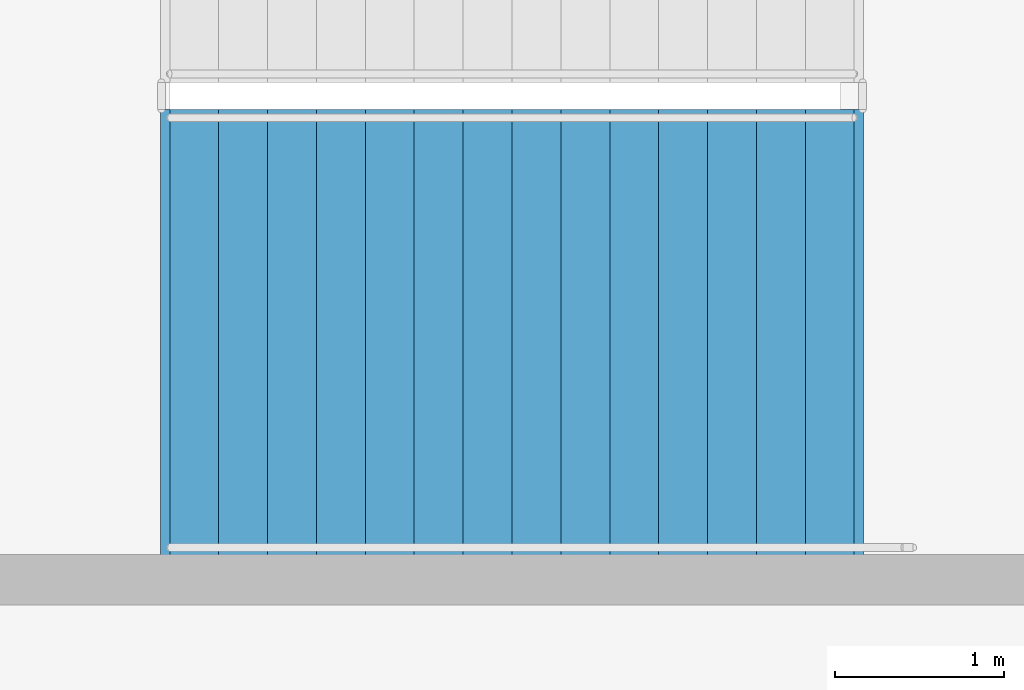
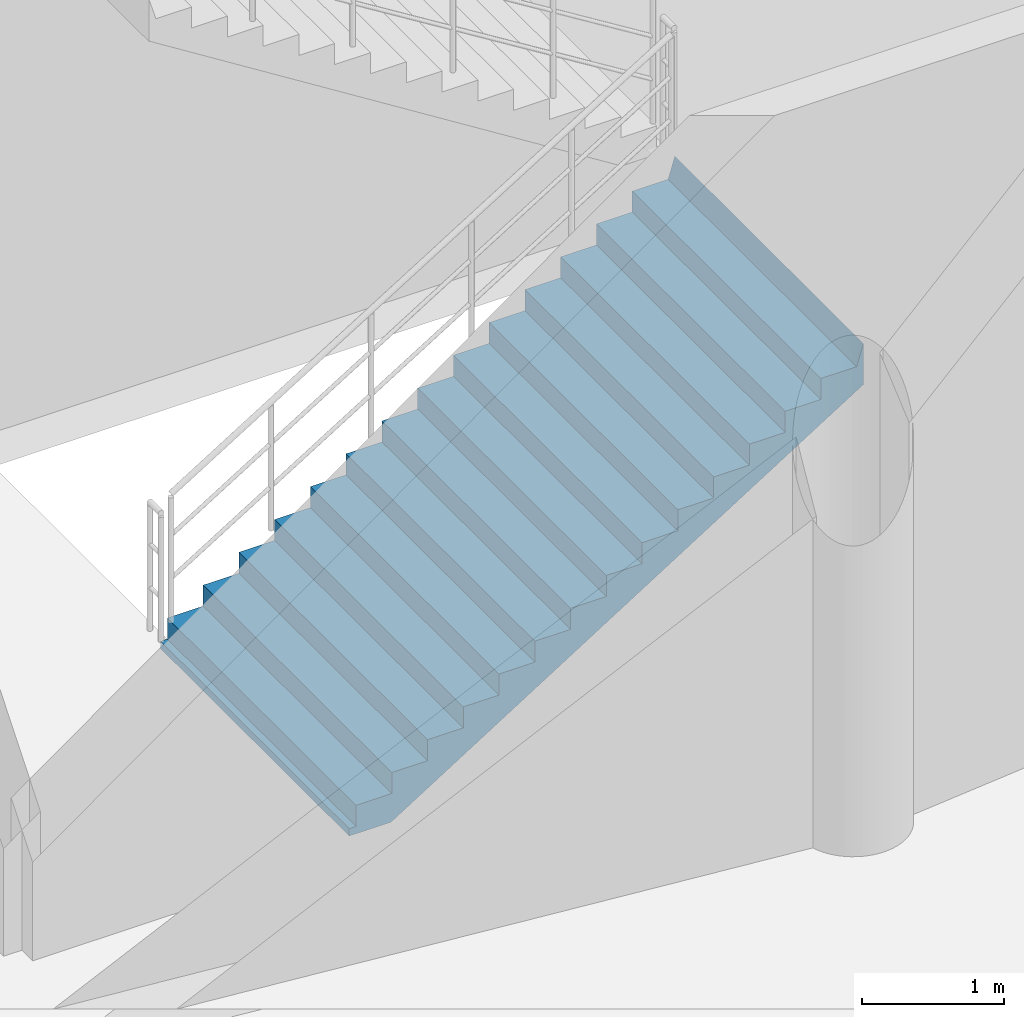
# One storey, part 66 of 93: 1 stair flight, 1 element without a shape of its own.
"""IFC4 building model written with IfcOpenShell, lengths in metres."""

from ifc_helpers import new_model, si_unit, direction, frame, origin, place, context, subcontext, project, spatial, polyline, outline, extrude, material, type_object, element, aggregate, save


model = new_model("IFC4")

# Units and contexts
model_context = context("Model", 3, precision=1e-05, world=origin(), true_north=direction((0.0, 1.0)))
body_context = subcontext(model_context, "Body", "Model", "MODEL_VIEW")
ifc_project = project(units=[si_unit("LENGTHUNIT", "METRE"), si_unit("AREAUNIT", "SQUARE_METRE"), si_unit("VOLUMEUNIT", "CUBIC_METRE"), si_unit("PLANEANGLEUNIT", "RADIAN"), si_unit("MASSUNIT", "GRAM", prefix="KILO")], contexts=[model_context])

# Site, building, storey
site_placement = place(None, origin())
site = spatial("IfcSite", under=ifc_project, at=site_placement, CompositionType="ELEMENT")
building_placement = place(site_placement, origin())
building = spatial("IfcBuilding", under=site, at=building_placement, Name="Cinderbank Siding Concert Hall", CompositionType="ELEMENT")
storey_placement = place(building_placement, origin())
storey = spatial("IfcBuildingStorey", under=building, at=storey_placement, Name="L01", CompositionType="ELEMENT", Elevation=0.0)

# Stair, stair flight
ifc_material = material(Name="Reinforced concrete AS 3600 N50 (50 MPa)", Category="concrete")
stair_type = type_object("IfcStairType", Name="STR-A Dogleg Exit Stair 2650mm", PredefinedType="HALF_TURN_STAIR", material=ifc_material)
stair_placement = place(storey_placement, origin())
stair = element("IfcStair", 1, at=stair_placement, inside=storey, type_object=stair_type, Name="L01 Fire-isolated Exit Stair ST-02", PredefinedType="HALF_TURN_STAIR")
stair_flight_type = type_object("IfcStairFlightType", Name="SFL-A Concrete Stair Flight 2650mm", PredefinedType="STRAIGHT", material=ifc_material)
stair_flight_placement = place(storey_placement, frame((118.949951171875, 25.02490234375, 0.0), z_axis=(0.0, 0.0, 1.0), x_axis=(1.0, 0.0, 0.0)))
stair_flight = element("IfcStairFlight", 2, at=stair_flight_placement, type_object=stair_flight_type, Name="ST-02 flight 1", NumberOfRisers=15, NumberOfTreads=14, PredefinedType="STRAIGHT", RiserHeight=0.18, TreadLength=0.29, context=body_context, shape_type="SweptSolid", body=[
    extrude(outline(polyline([(0.0, 0.0), (0.0, 0.179931640625), (0.2900390625, 0.179931640625), (0.2900390625, 0.360107421875), (0.580078125, 0.360107421875), (0.580078125, 0.5400390625), (0.8701171875, 0.5400390625), (0.8701171875, 0.719970703125), (1.159912109375, 0.719970703125), (1.159912109375, 0.89990234375), (1.449951171875, 0.89990234375), (1.449951171875, 1.080078125), (1.739990234375, 1.080078125), (1.739990234375, 1.260009765625), (2.030029296875, 1.260009765625), (2.030029296875, 1.43994140625), (2.320068359375, 1.43994140625), (2.320068359375, 1.6201171875), (2.610107421875, 1.6201171875), (2.610107421875, 1.800048828125), (2.89990234375, 1.800048828125), (2.89990234375, 1.97998046875), (3.18994140625, 1.97998046875), (3.18994140625, 2.159912109375), (3.47998046875, 2.159912109375), (3.47998046875, 2.340087890625), (3.77001953125, 2.340087890625), (3.77001953125, 2.52001953125), (4.06005859375, 2.52001953125), (4.114990234375, 2.699951171875), (4.114990234375, 2.343505859375), (4.11474609375, 2.34375), (4.11474609375, 2.343994140625), (4.11474609375, 2.34423828125), (4.11474609375, 2.344482421875), (4.11474609375, 2.3447265625), (4.11474609375, 2.344970703125), (4.11474609375, 2.34521484375), (4.11474609375, 2.345458984375), (4.11474609375, 2.345703125), (4.11474609375, 2.345947265625), (4.11474609375, 2.34619140625), (4.11474609375, 2.346435546875), (4.114501953125, 2.346435546875), (4.114501953125, 2.34619140625), (4.114501953125, 2.345947265625), (4.114501953125, 2.345703125), (4.114501953125, 2.345458984375), (4.114501953125, 2.34521484375), (4.114501953125, 2.344970703125), (4.114501953125, 2.3447265625), (4.114501953125, 2.344482421875), (4.114501953125, 2.34423828125), (4.114501953125, 2.343994140625), (4.114501953125, 2.34375), (4.114501953125, 2.343505859375), (4.1142578125, 2.34375), (4.1142578125, 2.343994140625), (4.1142578125, 2.34423828125), (4.1142578125, 2.344482421875), (4.1142578125, 2.3447265625), (4.1142578125, 2.344970703125), (4.1142578125, 2.34521484375), (4.1142578125, 2.345458984375), (4.1142578125, 2.345703125), (4.1142578125, 2.345947265625), (4.1142578125, 2.34619140625), (4.1142578125, 2.346435546875), (4.114013671875, 2.346435546875), (4.114013671875, 2.34619140625), (4.114013671875, 2.345947265625), (4.114013671875, 2.345703125), (4.114013671875, 2.345458984375), (4.114013671875, 2.34521484375), (4.114013671875, 2.344970703125), (4.114013671875, 2.3447265625), (4.114013671875, 2.344482421875), (4.114013671875, 2.34423828125), (4.114013671875, 2.343994140625), (4.114013671875, 2.34375), (4.114013671875, 2.343505859375), (4.11376953125, 2.34375), (4.11376953125, 2.343994140625), (4.11376953125, 2.34423828125), (4.11376953125, 2.344482421875), (4.11376953125, 2.3447265625), (4.11376953125, 2.344970703125), (4.11376953125, 2.34521484375), (4.11376953125, 2.345458984375), (4.11376953125, 2.345703125), (4.11376953125, 2.345947265625), (4.11376953125, 2.34619140625), (4.11376953125, 2.346435546875), (4.113525390625, 2.346435546875), (4.113525390625, 2.34619140625), (4.113525390625, 2.345947265625), (4.113525390625, 2.345703125), (4.113525390625, 2.345458984375), (4.113525390625, 2.34521484375), (4.113525390625, 2.344970703125), (4.113525390625, 2.3447265625), (4.113525390625, 2.344482421875), (4.113525390625, 2.34423828125), (4.113525390625, 2.343994140625), (4.113525390625, 2.34375), (4.113525390625, 2.343505859375), (4.11328125, 2.34375), (4.11328125, 2.343994140625), (4.11328125, 2.34423828125), (4.11328125, 2.344482421875), (4.11328125, 2.3447265625), (4.11328125, 2.344970703125), (4.11328125, 2.34521484375), (4.11328125, 2.345458984375), (4.11328125, 2.345703125), (4.11328125, 2.345947265625), (4.11328125, 2.34619140625), (4.11328125, 2.346435546875), (4.113037109375, 2.346435546875), (4.113037109375, 2.34619140625), (4.113037109375, 2.345947265625), (4.113037109375, 2.345703125), (4.113037109375, 2.345458984375), (4.113037109375, 2.34521484375), (4.113037109375, 2.344970703125), (4.113037109375, 2.3447265625), (4.113037109375, 2.344482421875), (4.113037109375, 2.34423828125), (4.113037109375, 2.343994140625), (4.113037109375, 2.34375), (4.113037109375, 2.343505859375), (4.11279296875, 2.34375), (4.11279296875, 2.343994140625), (4.11279296875, 2.34423828125), (4.11279296875, 2.344482421875), (4.11279296875, 2.3447265625), (4.11279296875, 2.344970703125), (4.11279296875, 2.34521484375), (4.11279296875, 2.345458984375), (4.11279296875, 2.345703125), (4.11279296875, 2.345947265625), (4.11279296875, 2.34619140625), (4.11279296875, 2.346435546875), (4.112548828125, 2.346435546875), (4.112548828125, 2.34619140625), (4.112548828125, 2.345947265625), (4.112548828125, 2.345703125), (4.112548828125, 2.345458984375), (4.112548828125, 2.34521484375), (4.112548828125, 2.344970703125), (4.112548828125, 2.3447265625), (4.112548828125, 2.344482421875), (4.112548828125, 2.34423828125), (4.112548828125, 2.343994140625), (4.112548828125, 2.34375), (4.112548828125, 2.343505859375), (4.1123046875, 2.34375), (4.1123046875, 2.343994140625), (4.1123046875, 2.34423828125), (4.1123046875, 2.344482421875), (4.1123046875, 2.3447265625), (4.1123046875, 2.344970703125), (4.1123046875, 2.34521484375), (4.1123046875, 2.345458984375), (4.1123046875, 2.345703125), (4.1123046875, 2.345947265625), (4.1123046875, 2.34619140625), (4.1123046875, 2.346435546875), (4.112060546875, 2.346435546875), (4.112060546875, 2.34619140625), (4.112060546875, 2.345947265625), (4.112060546875, 2.345703125), (4.112060546875, 2.345458984375), (4.112060546875, 2.34521484375), (4.112060546875, 2.344970703125), (4.112060546875, 2.3447265625), (4.112060546875, 2.344482421875), (4.112060546875, 2.34423828125), (4.112060546875, 2.343994140625), (4.112060546875, 2.34375), (4.112060546875, 2.343505859375), (4.11181640625, 2.34375), (4.11181640625, 2.343994140625), (4.11181640625, 2.34423828125), (4.11181640625, 2.344482421875), (4.11181640625, 2.3447265625), (4.11181640625, 2.344970703125), (4.11181640625, 2.34521484375), (4.11181640625, 2.345458984375), (4.11181640625, 2.345703125), (4.11181640625, 2.345947265625), (4.11181640625, 2.34619140625), (4.11181640625, 2.346435546875), (4.111572265625, 2.346435546875), (4.111572265625, 2.34619140625), (4.111572265625, 2.345947265625), (4.111572265625, 2.345703125), (4.111572265625, 2.345458984375), (4.111572265625, 2.34521484375), (4.111572265625, 2.344970703125), (4.111572265625, 2.3447265625), (4.111572265625, 2.344482421875), (4.111572265625, 2.34423828125), (4.111572265625, 2.343994140625), (4.111572265625, 2.34375), (4.111572265625, 2.343505859375), (4.111328125, 2.34375), (4.111328125, 2.343994140625), (4.111328125, 2.34423828125), (4.111328125, 2.344482421875), (4.111328125, 2.3447265625), (4.111328125, 2.344970703125), (4.111328125, 2.34521484375), (4.111328125, 2.345458984375), (4.111328125, 2.345703125), (4.111328125, 2.345947265625), (4.111328125, 2.34619140625), (4.111328125, 2.346435546875), (4.111083984375, 2.346435546875), (4.111083984375, 2.34619140625), (4.111083984375, 2.345947265625), (4.111083984375, 2.345703125), (4.111083984375, 2.345458984375), (4.111083984375, 2.34521484375), (4.111083984375, 2.344970703125), (4.111083984375, 2.3447265625), (4.111083984375, 2.344482421875), (4.111083984375, 2.34423828125), (4.111083984375, 2.343994140625), (4.111083984375, 2.34375), (4.111083984375, 2.343505859375), (4.11083984375, 2.34375), (4.11083984375, 2.343994140625), (4.11083984375, 2.34423828125), (4.11083984375, 2.344482421875), (4.11083984375, 2.3447265625), (4.11083984375, 2.344970703125), (4.11083984375, 2.34521484375), (4.11083984375, 2.345458984375), (4.11083984375, 2.345703125), (4.11083984375, 2.345947265625), (4.11083984375, 2.34619140625), (4.11083984375, 2.346435546875), (4.110595703125, 2.346435546875), (4.110595703125, 2.34619140625), (4.110595703125, 2.345947265625), (4.110595703125, 2.345703125), (4.110595703125, 2.345458984375), (4.110595703125, 2.34521484375), (4.110595703125, 2.344970703125), (4.110595703125, 2.3447265625), (4.110595703125, 2.344482421875), (4.110595703125, 2.34423828125), (4.110595703125, 2.343994140625), (4.110595703125, 2.34375), (4.110595703125, 2.343505859375), (4.1103515625, 2.34375), (4.1103515625, 2.343994140625), (4.1103515625, 2.34423828125), (4.1103515625, 2.344482421875), (4.1103515625, 2.3447265625), (4.1103515625, 2.344970703125), (4.1103515625, 2.34521484375), (4.1103515625, 2.345458984375), (4.1103515625, 2.345703125), (4.1103515625, 2.345947265625), (4.1103515625, 2.34619140625), (4.1103515625, 2.346435546875), (4.110107421875, 2.346435546875), (4.110107421875, 2.34619140625), (4.110107421875, 2.345947265625), (4.110107421875, 2.345703125), (4.110107421875, 2.345458984375), (4.110107421875, 2.34521484375), (4.110107421875, 2.344970703125), (4.110107421875, 2.3447265625), (4.110107421875, 2.344482421875), (4.110107421875, 2.34423828125), (4.110107421875, 2.343994140625), (4.110107421875, 2.34375), (4.110107421875, 2.343505859375), (4.10986328125, 2.34375), (4.10986328125, 2.343994140625), (4.10986328125, 2.34423828125), (4.10986328125, 2.344482421875), (4.10986328125, 2.3447265625), (4.10986328125, 2.344970703125), (4.10986328125, 2.34521484375), (4.10986328125, 2.345458984375), (4.10986328125, 2.345703125), (4.10986328125, 2.345947265625), (4.10986328125, 2.34619140625), (4.10986328125, 2.346435546875), (4.109619140625, 2.346435546875), (4.109619140625, 2.34619140625), (4.109619140625, 2.345947265625), (4.109619140625, 2.345703125), (4.109619140625, 2.345458984375), (4.109619140625, 2.34521484375), (4.109619140625, 2.344970703125), (4.109619140625, 2.3447265625), (4.109619140625, 2.344482421875), (4.109619140625, 2.34423828125), (4.109619140625, 2.343994140625), (4.109619140625, 2.34375), (4.109619140625, 2.343505859375), (4.109375, 2.34375), (4.109375, 2.343994140625), (4.109375, 2.34423828125), (4.109375, 2.344482421875), (4.109375, 2.3447265625), (4.109375, 2.344970703125), (4.109375, 2.34521484375), (4.109375, 2.345458984375), (4.109375, 2.345703125), (4.109375, 2.345947265625), (4.109375, 2.34619140625), (4.109375, 2.346435546875), (4.109130859375, 2.346435546875), (4.109130859375, 2.34619140625), (4.109130859375, 2.345947265625), (4.109130859375, 2.345703125), (4.109130859375, 2.345458984375), (4.109130859375, 2.34521484375), (4.109130859375, 2.344970703125), (4.109130859375, 2.3447265625), (4.109130859375, 2.344482421875), (4.109130859375, 2.34423828125), (4.109130859375, 2.343994140625), (4.109130859375, 2.34375), (4.109130859375, 2.343505859375), (4.10888671875, 2.34375), (4.10888671875, 2.343994140625), (4.10888671875, 2.34423828125), (4.10888671875, 2.344482421875), (4.10888671875, 2.3447265625), (4.10888671875, 2.344970703125), (4.10888671875, 2.34521484375), (4.10888671875, 2.345458984375), (4.10888671875, 2.345703125), (4.10888671875, 2.345947265625), (4.10888671875, 2.34619140625), (4.10888671875, 2.346435546875), (4.108642578125, 2.346435546875), (4.108642578125, 2.34619140625), (4.108642578125, 2.345947265625), (4.108642578125, 2.345703125), (4.108642578125, 2.345458984375), (4.108642578125, 2.34521484375), (4.108642578125, 2.344970703125), (4.108642578125, 2.3447265625), (4.108642578125, 2.344482421875), (4.108642578125, 2.34423828125), (4.108642578125, 2.343994140625), (4.108642578125, 2.34375), (4.108642578125, 2.343505859375), (0.2841796875, -0.06396484375), (-0.048583984375, -0.063720703125), (-0.048583984375, -0.0634765625), (-0.048583984375, -0.063232421875), (-0.048583984375, -0.06298828125), (-0.048583984375, -0.062744140625), (-0.048583984375, -0.0625), (-0.048583984375, -0.062255859375), (-0.048583984375, -0.06201171875), (-0.048583984375, -0.061767578125), (-0.048583984375, -0.0615234375), (-0.048583984375, -0.061279296875), (-0.048583984375, -0.06103515625), (-0.048828125, -0.06103515625), (-0.048828125, -0.061279296875), (-0.048828125, -0.0615234375), (-0.048828125, -0.061767578125), (-0.048828125, -0.06201171875), (-0.048828125, -0.062255859375), (-0.048828125, -0.0625), (-0.048828125, -0.062744140625), (-0.048828125, -0.06298828125), (-0.048828125, -0.063232421875), (-0.048828125, -0.0634765625), (-0.048828125, -0.063720703125), (-0.048828125, -0.06396484375), (-0.049072265625, -0.063720703125), (-0.049072265625, -0.0634765625), (-0.049072265625, -0.063232421875), (-0.049072265625, -0.06298828125), (-0.049072265625, -0.062744140625), (-0.049072265625, -0.0625), (-0.049072265625, -0.062255859375), (-0.049072265625, -0.06201171875), (-0.049072265625, -0.061767578125), (-0.049072265625, -0.0615234375), (-0.049072265625, -0.061279296875), (-0.049072265625, -0.06103515625), (-0.04931640625, -0.06103515625), (-0.04931640625, -0.061279296875), (-0.04931640625, -0.0615234375), (-0.04931640625, -0.061767578125), (-0.04931640625, -0.06201171875), (-0.04931640625, -0.062255859375), (-0.04931640625, -0.0625), (-0.04931640625, -0.062744140625), (-0.04931640625, -0.06298828125), (-0.04931640625, -0.063232421875), (-0.04931640625, -0.0634765625), (-0.04931640625, -0.063720703125), (-0.04931640625, -0.06396484375), (-0.049560546875, -0.063720703125), (-0.049560546875, -0.0634765625), (-0.049560546875, -0.063232421875), (-0.049560546875, -0.06298828125), (-0.049560546875, -0.062744140625), (-0.049560546875, -0.0625), (-0.049560546875, -0.062255859375), (-0.049560546875, -0.06201171875), (-0.049560546875, -0.061767578125), (-0.049560546875, -0.0615234375), (-0.049560546875, -0.061279296875), (-0.049560546875, -0.06103515625), (-0.0498046875, -0.06103515625), (-0.0498046875, -0.061279296875), (-0.0498046875, -0.0615234375), (-0.0498046875, -0.061767578125), (-0.0498046875, -0.06201171875), (-0.0498046875, -0.062255859375), (-0.0498046875, -0.0625), (-0.0498046875, -0.062744140625), (-0.0498046875, -0.06298828125), (-0.0498046875, -0.063232421875), (-0.0498046875, -0.0634765625), (-0.0498046875, -0.063720703125), (-0.0498046875, -0.06396484375), (-0.050048828125, -0.063720703125), (-0.050048828125, -0.0634765625), (-0.050048828125, -0.063232421875), (-0.050048828125, -0.06298828125), (-0.050048828125, -0.062744140625), (-0.050048828125, -0.0625), (-0.050048828125, -0.062255859375), (-0.050048828125, -0.06201171875), (-0.050048828125, -0.061767578125), (-0.050048828125, -0.0615234375), (-0.050048828125, -0.061279296875), (-0.050048828125, -0.06103515625), (-0.05029296875, -0.06103515625), (-0.05029296875, -0.061279296875), (-0.05029296875, -0.0615234375), (-0.05029296875, -0.061767578125), (-0.05029296875, -0.06201171875), (-0.05029296875, -0.062255859375), (-0.05029296875, -0.0625), (-0.05029296875, -0.062744140625), (-0.05029296875, -0.06298828125), (-0.05029296875, -0.063232421875), (-0.05029296875, -0.0634765625), (-0.05029296875, -0.063720703125), (-0.05029296875, -0.06396484375), (-0.050537109375, -0.063720703125), (-0.050537109375, -0.0634765625), (-0.050537109375, -0.063232421875), (-0.050537109375, -0.06298828125), (-0.050537109375, -0.062744140625), (-0.050537109375, -0.0625), (-0.050537109375, -0.062255859375), (-0.050537109375, -0.06201171875), (-0.050537109375, -0.061767578125), (-0.050537109375, -0.0615234375), (-0.050537109375, -0.061279296875), (-0.050537109375, -0.06103515625), (-0.05078125, -0.06103515625), (-0.05078125, -0.061279296875), (-0.05078125, -0.0615234375), (-0.05078125, -0.061767578125), (-0.05078125, -0.06201171875), (-0.05078125, -0.062255859375), (-0.05078125, -0.0625), (-0.05078125, -0.062744140625), (-0.05078125, -0.06298828125), (-0.05078125, -0.063232421875), (-0.05078125, -0.0634765625), (-0.05078125, -0.063720703125), (-0.05078125, -0.06396484375), (-0.051025390625, -0.063720703125), (-0.051025390625, -0.0634765625), (-0.051025390625, -0.063232421875), (-0.051025390625, -0.06298828125), (-0.051025390625, -0.062744140625), (-0.051025390625, -0.0625), (-0.051025390625, -0.062255859375), (-0.051025390625, -0.06201171875), (-0.051025390625, -0.061767578125), (-0.051025390625, -0.0615234375), (-0.051025390625, -0.061279296875), (-0.051025390625, -0.06103515625), (-0.05126953125, -0.06103515625), (-0.05126953125, -0.061279296875), (-0.05126953125, -0.0615234375), (-0.05126953125, -0.061767578125), (-0.05126953125, -0.06201171875), (-0.05126953125, -0.062255859375), (-0.05126953125, -0.0625), (-0.05126953125, -0.062744140625), (-0.05126953125, -0.06298828125), (-0.05126953125, -0.063232421875), (-0.05126953125, -0.0634765625), (-0.05126953125, -0.063720703125), (-0.05126953125, -0.06396484375), (-0.051513671875, -0.063720703125), (-0.051513671875, -0.0634765625), (-0.051513671875, -0.063232421875), (-0.051513671875, -0.06298828125), (-0.051513671875, -0.062744140625), (-0.051513671875, -0.0625), (-0.051513671875, -0.062255859375), (-0.051513671875, -0.06201171875), (-0.051513671875, -0.061767578125), (-0.051513671875, -0.0615234375), (-0.051513671875, -0.061279296875), (-0.051513671875, -0.06103515625), (-0.0517578125, -0.06103515625), (-0.0517578125, -0.061279296875), (-0.0517578125, -0.0615234375), (-0.0517578125, -0.061767578125), (-0.0517578125, -0.06201171875), (-0.0517578125, -0.062255859375), (-0.0517578125, -0.0625), (-0.0517578125, -0.062744140625), (-0.0517578125, -0.06298828125), (-0.0517578125, -0.063232421875), (-0.0517578125, -0.0634765625), (-0.0517578125, -0.063720703125), (-0.0517578125, -0.06396484375), (-0.052001953125, -0.063720703125), (-0.052001953125, -0.0634765625), (-0.052001953125, -0.063232421875), (-0.052001953125, -0.06298828125), (-0.052001953125, -0.062744140625), (-0.052001953125, -0.0625), (-0.052001953125, -0.062255859375), (-0.052001953125, -0.06201171875), (-0.052001953125, -0.061767578125), (-0.052001953125, -0.0615234375), (-0.052001953125, -0.061279296875), (-0.052001953125, -0.06103515625), (-0.05224609375, -0.06103515625), (-0.05224609375, -0.061279296875), (-0.05224609375, -0.0615234375), (-0.05224609375, -0.061767578125), (-0.05224609375, -0.06201171875), (-0.05224609375, -0.062255859375), (-0.05224609375, -0.0625), (-0.05224609375, -0.062744140625), (-0.05224609375, -0.06298828125), (-0.05224609375, -0.063232421875), (-0.05224609375, -0.0634765625), (-0.05224609375, -0.063720703125), (-0.05224609375, -0.06396484375), (-0.052490234375, -0.063720703125), (-0.052490234375, -0.0634765625), (-0.052490234375, -0.063232421875), (-0.052490234375, -0.06298828125), (-0.052490234375, -0.062744140625), (-0.052490234375, -0.0625), (-0.052490234375, -0.062255859375), (-0.052490234375, -0.06201171875), (-0.052490234375, -0.061767578125), (-0.052490234375, -0.0615234375), (-0.052490234375, -0.061279296875), (-0.052490234375, -0.06103515625), (-0.052734375, -0.06103515625), (-0.052734375, -0.061279296875), (-0.052734375, -0.0615234375), (-0.052734375, -0.061767578125), (-0.052734375, -0.06201171875), (-0.052734375, -0.062255859375), (-0.052734375, -0.0625), (-0.052734375, -0.062744140625), (-0.052734375, -0.06298828125), (-0.052734375, -0.063232421875), (-0.052734375, -0.0634765625), (-0.052734375, -0.063720703125), (-0.052734375, -0.06396484375), (-0.052978515625, -0.063720703125), (-0.052978515625, -0.0634765625), (-0.052978515625, -0.063232421875), (-0.052978515625, -0.06298828125), (-0.052978515625, -0.062744140625), (-0.052978515625, -0.0625), (-0.052978515625, -0.062255859375), (-0.052978515625, -0.06201171875), (-0.052978515625, -0.061767578125), (-0.052978515625, -0.0615234375), (-0.052978515625, -0.061279296875), (-0.052978515625, -0.06103515625), (-0.05322265625, -0.06103515625), (-0.05322265625, -0.061279296875), (-0.05322265625, -0.0615234375), (-0.05322265625, -0.061767578125), (-0.05322265625, -0.06201171875), (-0.05322265625, -0.062255859375), (-0.05322265625, -0.0625), (-0.05322265625, -0.062744140625), (-0.05322265625, -0.06298828125), (-0.05322265625, -0.063232421875), (-0.05322265625, -0.0634765625), (-0.05322265625, -0.063720703125), (-0.05322265625, -0.06396484375), (-0.053466796875, -0.063720703125), (-0.053466796875, -0.0634765625), (-0.053466796875, -0.063232421875), (-0.053466796875, -0.06298828125), (-0.053466796875, -0.062744140625), (-0.053466796875, -0.0625), (-0.053466796875, -0.062255859375), (-0.053466796875, -0.06201171875), (-0.053466796875, -0.061767578125), (-0.053466796875, -0.0615234375), (-0.053466796875, -0.061279296875), (-0.053466796875, -0.06103515625), (-0.0537109375, -0.06103515625), (-0.0537109375, -0.061279296875), (-0.0537109375, -0.0615234375), (-0.0537109375, -0.061767578125), (-0.0537109375, -0.06201171875), (-0.0537109375, -0.062255859375), (-0.0537109375, -0.0625), (-0.0537109375, -0.062744140625), (-0.0537109375, -0.06298828125), (-0.0537109375, -0.063232421875), (-0.0537109375, -0.0634765625), (-0.0537109375, -0.063720703125), (-0.0537109375, -0.06396484375), (-0.053955078125, -0.063720703125), (-0.053955078125, -0.0634765625), (-0.053955078125, -0.063232421875), (-0.053955078125, -0.06298828125), (-0.053955078125, -0.062744140625), (-0.053955078125, -0.0625), (-0.053955078125, -0.062255859375), (-0.053955078125, -0.06201171875), (-0.053955078125, -0.061767578125), (-0.053955078125, -0.0615234375), (-0.053955078125, -0.061279296875), (-0.053955078125, -0.06103515625), (-0.05419921875, -0.06103515625), (-0.05419921875, -0.061279296875), (-0.05419921875, -0.0615234375), (-0.05419921875, -0.061767578125), (-0.05419921875, -0.06201171875), (-0.05419921875, -0.062255859375), (-0.05419921875, -0.0625), (-0.05419921875, -0.062744140625), (-0.05419921875, -0.06298828125), (-0.05419921875, -0.063232421875), (-0.05419921875, -0.0634765625), (-0.05419921875, -0.063720703125), (-0.05419921875, -0.06396484375), (-0.054443359375, -0.063720703125), (-0.054443359375, -0.0634765625), (-0.054443359375, -0.063232421875), (-0.054443359375, -0.06298828125), (-0.054443359375, -0.062744140625), (-0.054443359375, -0.0625), (-0.054443359375, -0.062255859375), (-0.054443359375, -0.06201171875), (-0.054443359375, -0.061767578125), (-0.054443359375, -0.0615234375), (-0.054443359375, -0.061279296875), (-0.054443359375, -0.06103515625), (-0.0546875, -0.06103515625), (-0.0546875, -0.061279296875), (-0.0546875, -0.0615234375), (-0.0546875, -0.061767578125), (-0.0546875, -0.06201171875), (-0.0546875, -0.062255859375), (-0.0546875, -0.0625), (-0.0546875, -0.062744140625), (-0.0546875, -0.06298828125), (-0.0546875, -0.063232421875), (-0.0546875, -0.0634765625), (-0.0546875, -0.063720703125), (-0.0546875, -0.06396484375), (-0.054931640625, -0.06396484375), (-0.054931640625, 0.0), (0.0, 0.0)])), frame((0.0, 1.324951171875, 0.0), z_axis=(0.0, -1.0, 0.0), x_axis=(1.0, 0.0, 0.0)), (0.0, 0.0, 1.0), 2.64990234375),
])
aggregate(stair, [stair_flight])

save(model, "model.ifc")
